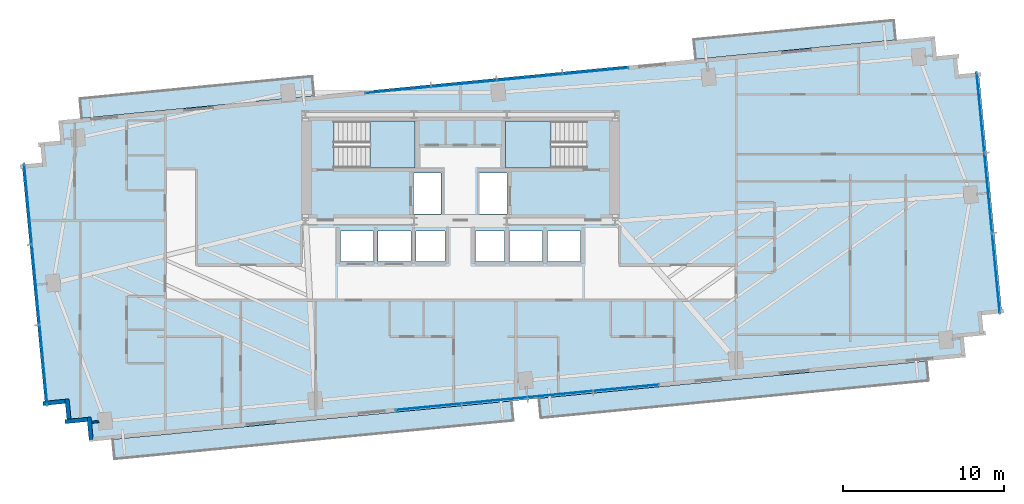
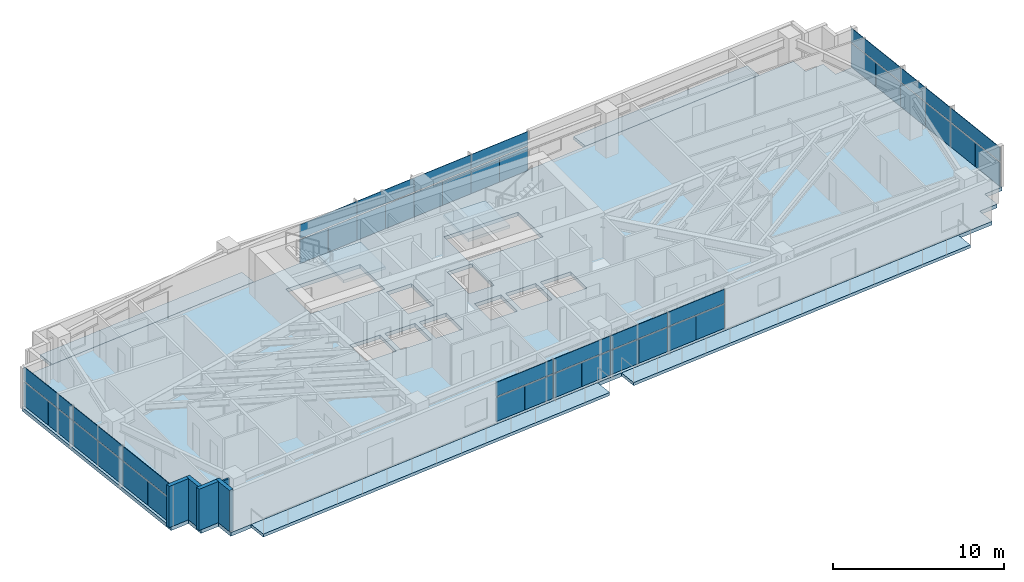
# One storey, part 20 of 27: 42 plates, 7 slabs, 5 walls, 6 elements without a shape of their own.
"""IFC4 building model written with IfcOpenShell, lengths in metres."""

from ifc_helpers import new_model, si_unit, direction, frame, frame_2d, origin, origin_2d, place, context, subcontext, project, spatial, polyline, rectangle, outline, extrude, source, transform, mapped, material, layer, layer_set, type_object, type_shapes, element, aggregate, save


model = new_model("IFC4")

# Units and contexts
model_context = context("Model", 3, precision=1e-05, world=origin(), true_north=direction((0.0, 1.0)))
body_context = subcontext(model_context, "Body", "Model", "MODEL_VIEW")
ifc_project = project(units=[si_unit("LENGTHUNIT", "METRE"), si_unit("AREAUNIT", "SQUARE_METRE"), si_unit("VOLUMEUNIT", "CUBIC_METRE"), si_unit("PLANEANGLEUNIT", "RADIAN"), si_unit("MASSUNIT", "GRAM", prefix="KILO")], contexts=[model_context])

# Site, building, storey
site_placement = place(None, origin())
site = spatial("IfcSite", under=ifc_project, at=site_placement, CompositionType="ELEMENT")
building_placement = place(site_placement, origin())
building = spatial("IfcBuilding", under=site, at=building_placement, Name="Astriad Promenade Condominiums", CompositionType="ELEMENT")
storey_placement = place(building_placement, frame((0.0, 0.0, 84.199951171875)))
storey = spatial("IfcBuildingStorey", under=building, at=storey_placement, Name="L23", CompositionType="ELEMENT", Elevation=84.199951171875)

# Slab
ifc_material_1 = material(Name="Concrete C50/60", Category="concrete")
ifc_layer_1 = layer(ifc_material_1, 0.260009765625)
ifc_layer_set_1 = layer_set([ifc_layer_1], Name="Concrete C50/60")
slab_type_1 = type_object("IfcSlabType", Name="CONCRETE TOWER FLOOR SLAB 260", PredefinedType="FLOOR", material=ifc_layer_set_1)
slab_1_placement = place(storey_placement, frame((0.0, 0.0, -0.260009765625)))
element("IfcSlab", 1, at=slab_1_placement, inside=storey, type_object=slab_type_1, Name="Structural Floor Slab (L23)", PredefinedType="FLOOR", context=body_context, shape_type="SweptSolid", body=[
    extrude(outline(polyline([(12.984130859375, 3.7294921875), (67.332763671875, 8.962646484375), (67.212890625, 10.206787109375), (68.457275390625, 10.32666015625), (68.33740234375, 11.57080078125), (69.58154296875, 11.690673828125), (68.14404296875, 26.62158203125), (66.899658203125, 26.501953125), (66.77978515625, 27.74609375), (65.53564453125, 27.626220703125), (65.416015625, 28.87060546875), (11.067138671875, 23.637451171875), (11.18701171875, 22.39306640625), (9.94287109375, 22.273193359375), (10.0625, 21.029052734375), (8.818359375, 20.9091796875), (10.256103515625, 5.978271484375), (11.500244140625, 6.09814453125), (11.6201171875, 4.85400390625), (12.8642578125, 4.9736328125), (12.984130859375, 3.7294921875)]), holes=[polyline([(28.175048828125, 20.699951171875), (33.175048828125, 20.699951171875), (33.175048828125, 23.60009765625), (28.175048828125, 23.60009765625), (28.175048828125, 20.699951171875)]), polyline([(38.824951171875, 20.699951171875), (43.824951171875, 20.699951171875), (43.824951171875, 23.60009765625), (38.824951171875, 23.60009765625), (38.824951171875, 20.699951171875)]), polyline([(33.10009765625, 17.85009765625), (34.800048828125, 17.85009765625), (34.800048828125, 20.39990234375), (33.10009765625, 20.39990234375), (33.10009765625, 17.85009765625)]), polyline([(37.199951171875, 17.85009765625), (38.89990234375, 17.85009765625), (38.89990234375, 20.39990234375), (37.199951171875, 20.39990234375), (37.199951171875, 17.85009765625)]), polyline([(28.550048828125, 14.89990234375), (30.60009765625, 14.89990234375), (30.60009765625, 16.800048828125), (28.550048828125, 16.800048828125), (28.550048828125, 14.89990234375)]), polyline([(30.89990234375, 14.89990234375), (32.949951171875, 14.89990234375), (32.949951171875, 16.800048828125), (30.89990234375, 16.800048828125), (30.89990234375, 14.89990234375)]), polyline([(33.25, 14.89990234375), (35.050048828125, 14.89990234375), (35.050048828125, 16.800048828125), (33.25, 16.800048828125), (33.25, 14.89990234375)]), polyline([(36.949951171875, 14.89990234375), (38.75, 14.89990234375), (38.75, 16.800048828125), (36.949951171875, 16.800048828125), (36.949951171875, 14.89990234375)]), polyline([(39.050048828125, 14.89990234375), (41.10009765625, 14.89990234375), (41.10009765625, 16.800048828125), (39.050048828125, 16.800048828125), (39.050048828125, 14.89990234375)]), polyline([(41.39990234375, 14.89990234375), (43.449951171875, 14.89990234375), (43.449951171875, 16.800048828125), (41.39990234375, 16.800048828125), (41.39990234375, 14.89990234375)])]), origin(), (0.0, 0.0, 1.0), 0.260009765625),
])

# Stair, slab
stair_type = type_object("IfcStairType", Name="STR-CORE-1350", PredefinedType="HALF_TURN_STAIR", material=ifc_material_1)
stair_1_placement = place(storey_placement, origin())
stair_1 = element("IfcStair", 2, at=stair_1_placement, inside=storey, type_object=stair_type, Name="L23 Enclosed Core Exit Stair ST-1", PredefinedType="HALF_TURN_STAIR")
ifc_layer_2 = layer(ifc_material_1, 0.219970703125)
ifc_layer_set_2 = layer_set([ifc_layer_2], Name="Concrete C50/60")
slab_type_2 = type_object("IfcSlabType", Name="SLB-LANDING-220", PredefinedType="LANDING", material=ifc_layer_set_2)
slab_2_placement = place(storey_placement, frame((0.0, 0.0, 1.400146484375)))
slab_2 = element("IfcSlab", 3, at=slab_2_placement, type_object=slab_type_2, Name="ST-1 landing 1", PredefinedType="LANDING", context=body_context, shape_type="SweptSolid", body=[
    extrude(outline(polyline([(30.389892578125, 20.699951171875), (33.199951171875, 20.699951171875), (33.199951171875, 23.60009765625), (30.389892578125, 23.60009765625), (30.389892578125, 20.699951171875)])), origin(), (0.0, 0.0, 1.0), 0.199951171875),
])
aggregate(stair_1, [slab_2])

stair_2_placement = place(storey_placement, origin())
stair_2 = element("IfcStair", 4, at=stair_2_placement, inside=storey, type_object=stair_type, Name="L23 Enclosed Core Exit Stair ST-2", PredefinedType="HALF_TURN_STAIR")
slab_3_placement = place(storey_placement, frame((0.0, 0.0, 1.400146484375)))
slab_3 = element("IfcSlab", 5, at=slab_3_placement, type_object=slab_type_2, Name="ST-2 landing 1", PredefinedType="LANDING", context=body_context, shape_type="SweptSolid", body=[
    extrude(outline(polyline([(41.610107421875, 23.60009765625), (38.800048828125, 23.60009765625), (38.800048828125, 20.699951171875), (41.610107421875, 20.699951171875), (41.610107421875, 23.60009765625)])), origin(), (0.0, 0.0, 1.0), 0.199951171875),
])
aggregate(stair_2, [slab_3])

# Slabs
ifc_material_2 = material(Name="Precast concrete C50/60", Category="concrete")
ifc_layer_3 = layer(ifc_material_2, 0.219970703125)
ifc_layer_set_3 = layer_set([ifc_layer_3], Name="Precast concrete C50/60")
slab_type_3 = type_object("IfcSlabType", Name="WHITE PRECAST CONCRETE WAVE BALCONY SLAB 220", PredefinedType="FLOOR", material=ifc_layer_set_3)
slab_4_placement = place(storey_placement, frame((0.0, 0.0, -0.219970703125)))
element("IfcSlab", 6, at=slab_4_placement, inside=storey, type_object=slab_type_3, Name="White Precast Wave Balcony Slab BAL-L23-SW", PredefinedType="FLOOR", context=body_context, shape_type="SweptSolid", body=[
    extrude(outline(polyline([(39.285888671875, 5.036376953125), (14.558349609375, 2.655517578125), (14.441650390625, 3.86767578125), (39.169189453125, 6.248779296875), (39.285888671875, 5.036376953125)])), origin(), (0.0, 0.0, 1.0), 0.219970703125),
])
slab_5_placement = place(storey_placement, frame((0.0, 0.0, -0.219970703125)))
element("IfcSlab", 7, at=slab_5_placement, inside=storey, type_object=slab_type_3, Name="White Precast Wave Balcony Slab BAL-L23-SE", PredefinedType="FLOOR", context=body_context, shape_type="SweptSolid", body=[
    extrude(outline(polyline([(65.02685546875, 7.514892578125), (40.994140625, 5.200927734375), (40.877197265625, 6.4130859375), (64.91015625, 8.727294921875), (65.02685546875, 7.514892578125)])), origin(), (0.0, 0.0, 1.0), 0.219970703125),
])
slab_6_placement = place(storey_placement, frame((0.0, 0.0, -0.219970703125)))
element("IfcSlab", 8, at=slab_6_placement, inside=storey, type_object=slab_type_3, Name="White Precast Wave Balcony Slab BAL-L23-NW", PredefinedType="FLOOR", context=body_context, shape_type="SweptSolid", body=[
    extrude(outline(polyline([(12.40771484375, 24.9921875), (26.806884765625, 26.378662109375), (26.923583984375, 25.166259765625), (12.5244140625, 23.77978515625), (12.40771484375, 24.9921875)])), origin(), (0.0, 0.0, 1.0), 0.219970703125),
])
slab_7_placement = place(storey_placement, frame((0.0, 0.0, -0.219970703125)))
element("IfcSlab", 9, at=slab_7_placement, inside=storey, type_object=slab_type_3, Name="White Precast Wave Balcony Slab BAL-L23-NE", PredefinedType="FLOOR", context=body_context, shape_type="SweptSolid", body=[
    extrude(outline(polyline([(50.4775390625, 28.65771484375), (62.876220703125, 29.8515625), (62.992919921875, 28.639404296875), (50.59423828125, 27.4453125), (50.4775390625, 28.65771484375)])), origin(), (0.0, 0.0, 1.0), 0.219970703125),
])

# Curtain wall, plates
ifc_material_3 = material(Name="Anodised aluminium Black Dark Glass Unitised", Category="aluminium")
curtain_wall_type = type_object("IfcCurtainWallType", Name="CW-B2-DARK", PredefinedType="USERDEFINED", material=ifc_material_3)
curtain_wall_1_placement = place(storey_placement, origin())
curtain_wall_1 = element("IfcCurtainWall", 10, at=curtain_wall_1_placement, inside=storey, type_object=curtain_wall_type, Name="CW-L23-W", ObjectType="UNITISED_CURTAIN_WALL", PredefinedType="USERDEFINED")
ifc_material_4 = material(Name="Dark Tinted Low-E Laminated Glass", Category="glass")
ifc_layer_4 = layer(ifc_material_4, 0.035888671875)
ifc_layer_set_4 = layer_set([ifc_layer_4], Name="Dark Tinted Low-E Laminated Glass")
plate_type = type_object("IfcPlateType", Name="PNL-DARK-GLASS-36", PredefinedType="CURTAIN_PANEL", material=ifc_layer_set_4)
shared_shape_1 = source(origin(), body_context, "Body", "SweptSolid", [
    extrude(rectangle(XDim=2.488037109375, YDim=0.035888671875, at=origin_2d()), origin(), (0.0, 0.0, 1.0), 1.702880859375),
])
plate_1_placement = place(storey_placement, frame((10.265625, 7.235107421875, 0.080078125), z_axis=(0.0, 0.0, 1.0), x_axis=(-0.09584575252, 0.995396198367, 0.0)))
plate_1 = element("IfcPlate", 11, at=plate_1_placement, type_object=plate_type, Name="CW-L23-W-PNL-00-VL", PredefinedType="CURTAIN_PANEL", context=body_context, shape_type="MappedRepresentation", body=[
    mapped(shared_shape_1, transform((0.0, 0.0, 0.0), scale=1.0)),
])
plate_2_placement = place(storey_placement, frame((10.02587890625, 9.723388671875, 0.080078125), z_axis=(0.0, 0.0, 1.0), x_axis=(-0.09584575252, 0.995396198367, 0.0)))
plate_2 = element("IfcPlate", 12, at=plate_2_placement, type_object=plate_type, Name="CW-L23-W-PNL-00-VR", PredefinedType="CURTAIN_PANEL", context=body_context, shape_type="MappedRepresentation", body=[
    mapped(shared_shape_1, transform((0.0, 0.0, 0.0), scale=1.0)),
])
plate_3_placement = place(storey_placement, frame((9.786376953125, 12.212158203125, 0.080078125), z_axis=(0.0, 0.0, 1.0), x_axis=(-0.09584575252, 0.995396198367, 0.0)))
plate_3 = element("IfcPlate", 13, at=plate_3_placement, type_object=plate_type, Name="CW-L23-W-PNL-01-VL", PredefinedType="CURTAIN_PANEL", context=body_context, shape_type="MappedRepresentation", body=[
    mapped(shared_shape_1, transform((0.0, 0.0, 0.0), scale=1.0)),
])
plate_4_placement = place(storey_placement, frame((9.546875, 14.700439453125, 0.080078125), z_axis=(0.0, 0.0, 1.0), x_axis=(-0.09584575252, 0.995396198367, 0.0)))
plate_4 = element("IfcPlate", 14, at=plate_4_placement, type_object=plate_type, Name="CW-L23-W-PNL-01-VR", PredefinedType="CURTAIN_PANEL", context=body_context, shape_type="MappedRepresentation", body=[
    mapped(shared_shape_1, transform((0.0, 0.0, 0.0), scale=1.0)),
])
plate_5_placement = place(storey_placement, frame((9.30712890625, 17.189208984375, 0.080078125), z_axis=(0.0, 0.0, 1.0), x_axis=(-0.09584575252, 0.995396198367, 0.0)))
plate_5 = element("IfcPlate", 15, at=plate_5_placement, type_object=plate_type, Name="CW-L23-W-PNL-02-VL", PredefinedType="CURTAIN_PANEL", context=body_context, shape_type="MappedRepresentation", body=[
    mapped(shared_shape_1, transform((0.0, 0.0, 0.0), scale=1.0)),
])
plate_6_placement = place(storey_placement, frame((9.067626953125, 19.677490234375, 0.080078125), z_axis=(0.0, 0.0, 1.0), x_axis=(-0.09584575252, 0.995396198367, 0.0)))
plate_6 = element("IfcPlate", 16, at=plate_6_placement, type_object=plate_type, Name="CW-L23-W-PNL-02-VR", PredefinedType="CURTAIN_PANEL", context=body_context, shape_type="MappedRepresentation", body=[
    mapped(shared_shape_1, transform((0.0, 0.0, 0.0), scale=1.0)),
])

curtain_wall_2_placement = place(storey_placement, origin())
curtain_wall_2 = element("IfcCurtainWall", 17, at=curtain_wall_2_placement, inside=storey, type_object=curtain_wall_type, Name="CW-L23-E", ObjectType="UNITISED_CURTAIN_WALL", PredefinedType="USERDEFINED")
plate_7_placement = place(storey_placement, frame((68.134521484375, 25.364990234375, 0.080078125), z_axis=(0.0, 0.0, 1.0), x_axis=(0.09584575252, -0.995396198367, 0.0)))
plate_7 = element("IfcPlate", 18, at=plate_7_placement, type_object=plate_type, Name="CW-L23-E-PNL-00-VL", PredefinedType="CURTAIN_PANEL", context=body_context, shape_type="MappedRepresentation", body=[
    mapped(shared_shape_1, transform((0.0, 0.0, 0.0), scale=1.0)),
])
plate_8_placement = place(storey_placement, frame((68.3740234375, 22.87646484375, 0.080078125), z_axis=(0.0, 0.0, 1.0), x_axis=(0.09584575252, -0.995396198367, 0.0)))
plate_8 = element("IfcPlate", 19, at=plate_8_placement, type_object=plate_type, Name="CW-L23-E-PNL-00-VR", PredefinedType="CURTAIN_PANEL", context=body_context, shape_type="MappedRepresentation", body=[
    mapped(shared_shape_1, transform((0.0, 0.0, 0.0), scale=1.0)),
])
plate_9_placement = place(storey_placement, frame((68.613525390625, 20.387939453125, 0.080078125), z_axis=(0.0, 0.0, 1.0), x_axis=(0.09584575252, -0.995396198367, 0.0)))
plate_9 = element("IfcPlate", 20, at=plate_9_placement, type_object=plate_type, Name="CW-L23-E-PNL-01-VL", PredefinedType="CURTAIN_PANEL", context=body_context, shape_type="MappedRepresentation", body=[
    mapped(shared_shape_1, transform((0.0, 0.0, 0.0), scale=1.0)),
])
plate_10_placement = place(storey_placement, frame((68.853271484375, 17.8994140625, 0.080078125), z_axis=(0.0, 0.0, 1.0), x_axis=(0.09584575252, -0.995396198367, 0.0)))
plate_10 = element("IfcPlate", 21, at=plate_10_placement, type_object=plate_type, Name="CW-L23-E-PNL-01-VR", PredefinedType="CURTAIN_PANEL", context=body_context, shape_type="MappedRepresentation", body=[
    mapped(shared_shape_1, transform((0.0, 0.0, 0.0), scale=1.0)),
])
plate_11_placement = place(storey_placement, frame((69.0927734375, 15.410888671875, 0.080078125), z_axis=(0.0, 0.0, 1.0), x_axis=(0.09584575252, -0.995396198367, 0.0)))
plate_11 = element("IfcPlate", 22, at=plate_11_placement, type_object=plate_type, Name="CW-L23-E-PNL-02-VL", PredefinedType="CURTAIN_PANEL", context=body_context, shape_type="MappedRepresentation", body=[
    mapped(shared_shape_1, transform((0.0, 0.0, 0.0), scale=1.0)),
])
plate_12_placement = place(storey_placement, frame((69.33251953125, 12.922607421875, 0.080078125), z_axis=(0.0, 0.0, 1.0), x_axis=(0.09584575252, -0.995396198367, 0.0)))
plate_12 = element("IfcPlate", 23, at=plate_12_placement, type_object=plate_type, Name="CW-L23-E-PNL-02-VR", PredefinedType="CURTAIN_PANEL", context=body_context, shape_type="MappedRepresentation", body=[
    mapped(shared_shape_1, transform((0.0, 0.0, 0.0), scale=1.0)),
])

# Plate
shared_shape_2 = source(origin(), body_context, "Body", "SweptSolid", [
    extrude(rectangle(XDim=4.988037109375, YDim=0.035888671875, at=origin_2d()), origin(), (0.0, 0.0, 1.0), 0.997314453125),
])
plate_13_placement = place(storey_placement, frame((10.145751953125, 8.479248046875, 1.86279296875), z_axis=(0.0, 0.0, 1.0), x_axis=(-0.09584575252, 0.995396198367, 0.0)))
plate_13 = element("IfcPlate", 24, at=plate_13_placement, type_object=plate_type, Name="CW-L23-W-PNL-00-S", PredefinedType="CURTAIN_PANEL", context=body_context, shape_type="MappedRepresentation", body=[
    mapped(shared_shape_2, transform((0.0, 0.0, 0.0), scale=1.0)),
])

plate_14_placement = place(storey_placement, frame((9.66650390625, 13.456298828125, 1.86279296875), z_axis=(0.0, 0.0, 1.0), x_axis=(-0.09584575252, 0.995396198367, 0.0)))
plate_14 = element("IfcPlate", 25, at=plate_14_placement, type_object=plate_type, Name="CW-L23-W-PNL-01-S", PredefinedType="CURTAIN_PANEL", context=body_context, shape_type="MappedRepresentation", body=[
    mapped(shared_shape_2, transform((0.0, 0.0, 0.0), scale=1.0)),
])

plate_15_placement = place(storey_placement, frame((9.1875, 18.433349609375, 1.86279296875), z_axis=(0.0, 0.0, 1.0), x_axis=(-0.09584575252, 0.995396198367, 0.0)))
plate_15 = element("IfcPlate", 26, at=plate_15_placement, type_object=plate_type, Name="CW-L23-W-PNL-02-S", PredefinedType="CURTAIN_PANEL", context=body_context, shape_type="MappedRepresentation", body=[
    mapped(shared_shape_2, transform((0.0, 0.0, 0.0), scale=1.0)),
])

aggregate(curtain_wall_1, [plate_1, plate_2, plate_13, plate_3, plate_4, plate_14, plate_5, plate_6, plate_15])

plate_16_placement = place(storey_placement, frame((68.254150390625, 24.12060546875, 1.86279296875), z_axis=(0.0, 0.0, 1.0), x_axis=(0.09584575252, -0.995396198367, 0.0)))
plate_16 = element("IfcPlate", 27, at=plate_16_placement, type_object=plate_type, Name="CW-L23-E-PNL-00-S", PredefinedType="CURTAIN_PANEL", context=body_context, shape_type="MappedRepresentation", body=[
    mapped(shared_shape_2, transform((0.0, 0.0, 0.0), scale=1.0)),
])

plate_17_placement = place(storey_placement, frame((68.7333984375, 19.143798828125, 1.86279296875), z_axis=(0.0, 0.0, 1.0), x_axis=(0.09584575252, -0.995396198367, 0.0)))
plate_17 = element("IfcPlate", 28, at=plate_17_placement, type_object=plate_type, Name="CW-L23-E-PNL-01-S", PredefinedType="CURTAIN_PANEL", context=body_context, shape_type="MappedRepresentation", body=[
    mapped(shared_shape_2, transform((0.0, 0.0, 0.0), scale=1.0)),
])

plate_18_placement = place(storey_placement, frame((69.212646484375, 14.166748046875, 1.86279296875), z_axis=(0.0, 0.0, 1.0), x_axis=(0.09584575252, -0.995396198367, 0.0)))
plate_18 = element("IfcPlate", 29, at=plate_18_placement, type_object=plate_type, Name="CW-L23-E-PNL-02-S", PredefinedType="CURTAIN_PANEL", context=body_context, shape_type="MappedRepresentation", body=[
    mapped(shared_shape_2, transform((0.0, 0.0, 0.0), scale=1.0)),
])

aggregate(curtain_wall_2, [plate_7, plate_8, plate_16, plate_9, plate_10, plate_17, plate_11, plate_12, plate_18])

# Curtain wall, plates
curtain_wall_3_placement = place(storey_placement, origin())
curtain_wall_3 = element("IfcCurtainWall", 30, at=curtain_wall_3_placement, inside=storey, type_object=curtain_wall_type, Name="CW-L23-N", ObjectType="UNITISED_CURTAIN_WALL", PredefinedType="USERDEFINED")
shared_shape_3 = source(origin(), body_context, "Body", "SweptSolid", [
    extrude(rectangle(XDim=2.035400390625, YDim=0.035888671875, at=origin_2d()), origin(), (0.0, 0.0, 1.0), 1.702880859375),
])
plate_19_placement = place(storey_placement, frame((31.12060546875, 25.437744140625, 0.080078125), z_axis=(0.0, 0.0, 1.0), x_axis=(0.995396198367, 0.09584575252, 0.0)))
plate_19 = element("IfcPlate", 31, at=plate_19_placement, type_object=plate_type, Name="CW-L23-N-PNL-00-VL", PredefinedType="CURTAIN_PANEL", context=body_context, shape_type="MappedRepresentation", body=[
    mapped(shared_shape_3, transform((0.0, 0.0, 0.0), scale=1.0)),
])
plate_20_placement = place(storey_placement, frame((33.15869140625, 25.634033203125, 0.080078125), z_axis=(0.0, 0.0, 1.0), x_axis=(0.995396198367, 0.09584575252, 0.0)))
plate_20 = element("IfcPlate", 32, at=plate_20_placement, type_object=plate_type, Name="CW-L23-N-PNL-00-VR", PredefinedType="CURTAIN_PANEL", context=body_context, shape_type="MappedRepresentation", body=[
    mapped(shared_shape_3, transform((0.0, 0.0, 0.0), scale=1.0)),
])
plate_21_placement = place(storey_placement, frame((35.19677734375, 25.830078125, 0.080078125), z_axis=(0.0, 0.0, 1.0), x_axis=(0.995396198367, 0.09584575252, 0.0)))
plate_21 = element("IfcPlate", 33, at=plate_21_placement, type_object=plate_type, Name="CW-L23-N-PNL-01-VL", PredefinedType="CURTAIN_PANEL", context=body_context, shape_type="MappedRepresentation", body=[
    mapped(shared_shape_3, transform((0.0, 0.0, 0.0), scale=1.0)),
])
plate_22_placement = place(storey_placement, frame((37.23486328125, 26.026611328125, 0.080078125), z_axis=(0.0, 0.0, 1.0), x_axis=(0.995396198367, 0.09584575252, 0.0)))
plate_22 = element("IfcPlate", 34, at=plate_22_placement, type_object=plate_type, Name="CW-L23-N-PNL-01-VR", PredefinedType="CURTAIN_PANEL", context=body_context, shape_type="MappedRepresentation", body=[
    mapped(shared_shape_3, transform((0.0, 0.0, 0.0), scale=1.0)),
])
plate_23_placement = place(storey_placement, frame((39.27294921875, 26.22265625, 0.080078125), z_axis=(0.0, 0.0, 1.0), x_axis=(0.995396198367, 0.09584575252, 0.0)))
plate_23 = element("IfcPlate", 35, at=plate_23_placement, type_object=plate_type, Name="CW-L23-N-PNL-02-VL", PredefinedType="CURTAIN_PANEL", context=body_context, shape_type="MappedRepresentation", body=[
    mapped(shared_shape_3, transform((0.0, 0.0, 0.0), scale=1.0)),
])
plate_24_placement = place(storey_placement, frame((41.31103515625, 26.4189453125, 0.080078125), z_axis=(0.0, 0.0, 1.0), x_axis=(0.995396198367, 0.09584575252, 0.0)))
plate_24 = element("IfcPlate", 36, at=plate_24_placement, type_object=plate_type, Name="CW-L23-N-PNL-02-VR", PredefinedType="CURTAIN_PANEL", context=body_context, shape_type="MappedRepresentation", body=[
    mapped(shared_shape_3, transform((0.0, 0.0, 0.0), scale=1.0)),
])
plate_25_placement = place(storey_placement, frame((43.34912109375, 26.615234375, 0.080078125), z_axis=(0.0, 0.0, 1.0), x_axis=(0.995396198367, 0.09584575252, 0.0)))
plate_25 = element("IfcPlate", 37, at=plate_25_placement, type_object=plate_type, Name="CW-L23-N-PNL-03-VL", PredefinedType="CURTAIN_PANEL", context=body_context, shape_type="MappedRepresentation", body=[
    mapped(shared_shape_3, transform((0.0, 0.0, 0.0), scale=1.0)),
])
plate_26_placement = place(storey_placement, frame((45.38720703125, 26.8115234375, 0.080078125), z_axis=(0.0, 0.0, 1.0), x_axis=(0.995396198367, 0.09584575252, 0.0)))
plate_26 = element("IfcPlate", 38, at=plate_26_placement, type_object=plate_type, Name="CW-L23-N-PNL-03-VR", PredefinedType="CURTAIN_PANEL", context=body_context, shape_type="MappedRepresentation", body=[
    mapped(shared_shape_3, transform((0.0, 0.0, 0.0), scale=1.0)),
])

curtain_wall_4_placement = place(storey_placement, origin())
curtain_wall_4 = element("IfcCurtainWall", 39, at=curtain_wall_4_placement, inside=storey, type_object=curtain_wall_type, Name="CW-L23-S", ObjectType="UNITISED_CURTAIN_WALL", PredefinedType="USERDEFINED")
plate_27_placement = place(storey_placement, frame((47.279296875, 7.162353515625, 0.080078125), z_axis=(0.0, 0.0, 1.0), x_axis=(-0.995396198367, -0.09584575252, 0.0)))
plate_27 = element("IfcPlate", 40, at=plate_27_placement, type_object=plate_type, Name="CW-L23-S-PNL-00-VL", PredefinedType="CURTAIN_PANEL", context=body_context, shape_type="MappedRepresentation", body=[
    mapped(shared_shape_3, transform((0.0, 0.0, 0.0), scale=1.0)),
])
plate_28_placement = place(storey_placement, frame((45.2412109375, 6.966064453125, 0.080078125), z_axis=(0.0, 0.0, 1.0), x_axis=(-0.995396198367, -0.09584575252, 0.0)))
plate_28 = element("IfcPlate", 41, at=plate_28_placement, type_object=plate_type, Name="CW-L23-S-PNL-00-VR", PredefinedType="CURTAIN_PANEL", context=body_context, shape_type="MappedRepresentation", body=[
    mapped(shared_shape_3, transform((0.0, 0.0, 0.0), scale=1.0)),
])
plate_29_placement = place(storey_placement, frame((43.203125, 6.769775390625, 0.080078125), z_axis=(0.0, 0.0, 1.0), x_axis=(-0.995396198367, -0.09584575252, 0.0)))
plate_29 = element("IfcPlate", 42, at=plate_29_placement, type_object=plate_type, Name="CW-L23-S-PNL-01-VL", PredefinedType="CURTAIN_PANEL", context=body_context, shape_type="MappedRepresentation", body=[
    mapped(shared_shape_3, transform((0.0, 0.0, 0.0), scale=1.0)),
])
plate_30_placement = place(storey_placement, frame((41.1650390625, 6.573486328125, 0.080078125), z_axis=(0.0, 0.0, 1.0), x_axis=(-0.995396198367, -0.09584575252, 0.0)))
plate_30 = element("IfcPlate", 43, at=plate_30_placement, type_object=plate_type, Name="CW-L23-S-PNL-01-VR", PredefinedType="CURTAIN_PANEL", context=body_context, shape_type="MappedRepresentation", body=[
    mapped(shared_shape_3, transform((0.0, 0.0, 0.0), scale=1.0)),
])
plate_31_placement = place(storey_placement, frame((39.126953125, 6.377197265625, 0.080078125), z_axis=(0.0, 0.0, 1.0), x_axis=(-0.995396198367, -0.09584575252, 0.0)))
plate_31 = element("IfcPlate", 44, at=plate_31_placement, type_object=plate_type, Name="CW-L23-S-PNL-02-VL", PredefinedType="CURTAIN_PANEL", context=body_context, shape_type="MappedRepresentation", body=[
    mapped(shared_shape_3, transform((0.0, 0.0, 0.0), scale=1.0)),
])
plate_32_placement = place(storey_placement, frame((37.0888671875, 6.180908203125, 0.080078125), z_axis=(0.0, 0.0, 1.0), x_axis=(-0.995396198367, -0.09584575252, 0.0)))
plate_32 = element("IfcPlate", 45, at=plate_32_placement, type_object=plate_type, Name="CW-L23-S-PNL-02-VR", PredefinedType="CURTAIN_PANEL", context=body_context, shape_type="MappedRepresentation", body=[
    mapped(shared_shape_3, transform((0.0, 0.0, 0.0), scale=1.0)),
])
plate_33_placement = place(storey_placement, frame((35.05078125, 5.98486328125, 0.080078125), z_axis=(0.0, 0.0, 1.0), x_axis=(-0.995396198367, -0.09584575252, 0.0)))
plate_33 = element("IfcPlate", 46, at=plate_33_placement, type_object=plate_type, Name="CW-L23-S-PNL-03-VL", PredefinedType="CURTAIN_PANEL", context=body_context, shape_type="MappedRepresentation", body=[
    mapped(shared_shape_3, transform((0.0, 0.0, 0.0), scale=1.0)),
])
plate_34_placement = place(storey_placement, frame((33.0126953125, 5.78857421875, 0.080078125), z_axis=(0.0, 0.0, 1.0), x_axis=(-0.995396198367, -0.09584575252, 0.0)))
plate_34 = element("IfcPlate", 47, at=plate_34_placement, type_object=plate_type, Name="CW-L23-S-PNL-03-VR", PredefinedType="CURTAIN_PANEL", context=body_context, shape_type="MappedRepresentation", body=[
    mapped(shared_shape_3, transform((0.0, 0.0, 0.0), scale=1.0)),
])

# Plate
shared_shape_4 = source(origin(), body_context, "Body", "SweptSolid", [
    extrude(rectangle(XDim=4.0830078125, YDim=0.035888671875, at=origin_2d()), origin(), (0.0, 0.0, 1.0), 0.997314453125),
])
type_shapes(plate_type, [shared_shape_1, shared_shape_2, shared_shape_3, shared_shape_4])
plate_35_placement = place(storey_placement, frame((32.1396484375, 25.535888671875, 1.86279296875), z_axis=(0.0, 0.0, 1.0), x_axis=(0.995396198367, 0.09584575252, 0.0)))
plate_35 = element("IfcPlate", 48, at=plate_35_placement, type_object=plate_type, Name="CW-L23-N-PNL-00-S", PredefinedType="CURTAIN_PANEL", context=body_context, shape_type="MappedRepresentation", body=[
    mapped(shared_shape_4, transform((0.0, 0.0, 0.0), scale=1.0)),
])

plate_36_placement = place(storey_placement, frame((36.2158203125, 25.928466796875, 1.86279296875), z_axis=(0.0, 0.0, 1.0), x_axis=(0.995396198367, 0.09584575252, 0.0)))
plate_36 = element("IfcPlate", 49, at=plate_36_placement, type_object=plate_type, Name="CW-L23-N-PNL-01-S", PredefinedType="CURTAIN_PANEL", context=body_context, shape_type="MappedRepresentation", body=[
    mapped(shared_shape_4, transform((0.0, 0.0, 0.0), scale=1.0)),
])

plate_37_placement = place(storey_placement, frame((40.2919921875, 26.32080078125, 1.86279296875), z_axis=(0.0, 0.0, 1.0), x_axis=(0.995396198367, 0.09584575252, 0.0)))
plate_37 = element("IfcPlate", 50, at=plate_37_placement, type_object=plate_type, Name="CW-L23-N-PNL-02-S", PredefinedType="CURTAIN_PANEL", context=body_context, shape_type="MappedRepresentation", body=[
    mapped(shared_shape_4, transform((0.0, 0.0, 0.0), scale=1.0)),
])

plate_38_placement = place(storey_placement, frame((44.368408203125, 26.71337890625, 1.86279296875), z_axis=(0.0, 0.0, 1.0), x_axis=(0.995396198367, 0.09584575252, 0.0)))
plate_38 = element("IfcPlate", 51, at=plate_38_placement, type_object=plate_type, Name="CW-L23-N-PNL-03-S", PredefinedType="CURTAIN_PANEL", context=body_context, shape_type="MappedRepresentation", body=[
    mapped(shared_shape_4, transform((0.0, 0.0, 0.0), scale=1.0)),
])

aggregate(curtain_wall_3, [plate_19, plate_20, plate_35, plate_21, plate_22, plate_36, plate_23, plate_24, plate_37, plate_25, plate_26, plate_38])

plate_39_placement = place(storey_placement, frame((46.26025390625, 7.064208984375, 1.86279296875), z_axis=(0.0, 0.0, 1.0), x_axis=(-0.995396198367, -0.09584575252, 0.0)))
plate_39 = element("IfcPlate", 52, at=plate_39_placement, type_object=plate_type, Name="CW-L23-S-PNL-00-S", PredefinedType="CURTAIN_PANEL", context=body_context, shape_type="MappedRepresentation", body=[
    mapped(shared_shape_4, transform((0.0, 0.0, 0.0), scale=1.0)),
])

plate_40_placement = place(storey_placement, frame((42.18408203125, 6.671630859375, 1.86279296875), z_axis=(0.0, 0.0, 1.0), x_axis=(-0.995396198367, -0.09584575252, 0.0)))
plate_40 = element("IfcPlate", 53, at=plate_40_placement, type_object=plate_type, Name="CW-L23-S-PNL-01-S", PredefinedType="CURTAIN_PANEL", context=body_context, shape_type="MappedRepresentation", body=[
    mapped(shared_shape_4, transform((0.0, 0.0, 0.0), scale=1.0)),
])

plate_41_placement = place(storey_placement, frame((38.10791015625, 6.279052734375, 1.86279296875), z_axis=(0.0, 0.0, 1.0), x_axis=(-0.995396198367, -0.09584575252, 0.0)))
plate_41 = element("IfcPlate", 54, at=plate_41_placement, type_object=plate_type, Name="CW-L23-S-PNL-02-S", PredefinedType="CURTAIN_PANEL", context=body_context, shape_type="MappedRepresentation", body=[
    mapped(shared_shape_4, transform((0.0, 0.0, 0.0), scale=1.0)),
])

plate_42_placement = place(storey_placement, frame((34.03173828125, 5.88671875, 1.86279296875), z_axis=(0.0, 0.0, 1.0), x_axis=(-0.995396198367, -0.09584575252, 0.0)))
plate_42 = element("IfcPlate", 55, at=plate_42_placement, type_object=plate_type, Name="CW-L23-S-PNL-03-S", PredefinedType="CURTAIN_PANEL", context=body_context, shape_type="MappedRepresentation", body=[
    mapped(shared_shape_4, transform((0.0, 0.0, 0.0), scale=1.0)),
])

aggregate(curtain_wall_4, [plate_27, plate_28, plate_39, plate_29, plate_30, plate_40, plate_31, plate_32, plate_41, plate_33, plate_34, plate_42])

# Walls
ifc_layer_5 = layer(ifc_material_2, 0.260009765625)
ifc_layer_set_5 = layer_set([ifc_layer_5], Name="Precast concrete C50/60")
wall_type_1 = type_object("IfcWallType", Name="WALL-EXT-TWR-260", PredefinedType="STANDARD", material=ifc_layer_set_5)
for number, where, z_axis, x_axis, name in (
    (56, (12.86669921875, 5.1044921875, 0.0), (0.0, 0.0, 1.0), (-0.995389446633, -0.095915846097, 0.0), "W-SER-L23-00"),
    (57, (11.738525390625, 4.98095703125, 0.0), (0.0, 0.0, 1.0), (-0.095915846097, 0.995389446633, 0.0), "W-SER-L23-01"),
):
    element("IfcWall", number, at=place(storey_placement, frame(where, z_axis=z_axis, x_axis=x_axis)), inside=storey, type_object=wall_type_1, Name=name, PredefinedType="STANDARD", context=body_context, shape_type="SweptSolid", body=[
        extrude(rectangle(XDim=1.394775390625, YDim=0.260009765625, at=frame_2d((0.697265625, 0.0))), origin(), (0.0, 0.0, 1.0), 2.93994140625),
    ])
for number, where, z_axis, x_axis, name in (
    (58, (11.502685546875, 6.22900390625, 0.0), (0.0, 0.0, 1.0), (-0.995391056452, -0.09589913835, 0.0), "W-SER-L23-02"),
    (59, (13.1025390625, 3.8564453125, 0.0), (0.0, 0.0, 1.0), (-0.09589913835, 0.995391056452, 0.0), "W-SER-L23-19"),
):
    element("IfcWall", number, at=place(storey_placement, frame(where, z_axis=z_axis, x_axis=x_axis)), inside=storey, type_object=wall_type_1, Name=name, PredefinedType="STANDARD", context=body_context, shape_type="SweptSolid", body=[
        extrude(rectangle(XDim=1.39501953125, YDim=0.260009765625, at=frame_2d((0.697509765625, 0.0))), origin(), (0.0, 0.0, 1.0), 2.93994140625),
    ])
ifc_material_5 = material(Name="Acoustic Metal-Stud Gypsum Partition")
ifc_layer_6 = layer(ifc_material_5, 0.1201171875)
ifc_layer_set_6 = layer_set([ifc_layer_6], Name="Acoustic Metal-Stud Gypsum Partition")
wall_type_2 = type_object("IfcWallType", Name="WALL-PART-120", PredefinedType="PARTITIONING", material=ifc_layer_set_6)
wall_placement = place(storey_placement, frame((13.587646484375, 4.972900390625, 0.0), z_axis=(0.0, 0.0, 1.0), x_axis=(-0.995435366701, -0.095438098896, 0.0)))
element("IfcWall", 60, at=wall_placement, inside=storey, type_object=wall_type_2, Name="PT-PIL-L23-PC01-8", PredefinedType="PARTITIONING", context=body_context, shape_type="SweptSolid", body=[
    extrude(rectangle(XDim=0.4580078125, YDim=0.1201171875, at=frame_2d((0.22900390625, 0.0))), origin(), (0.0, 0.0, 1.0), 2.93994140625),
])

save(model, "model.ifc")
